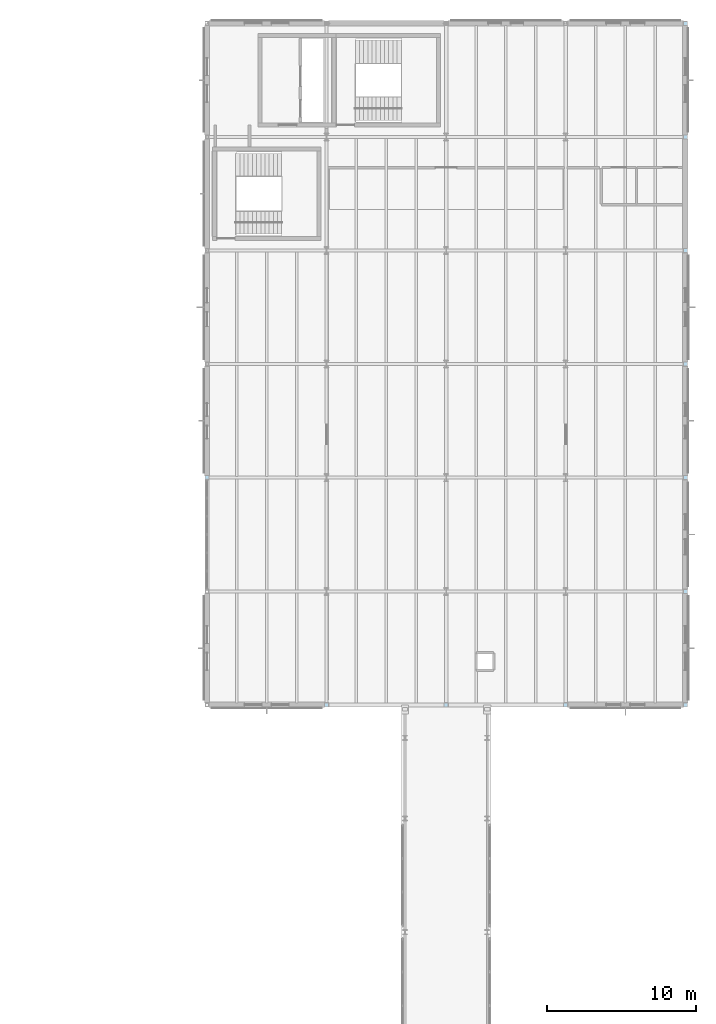
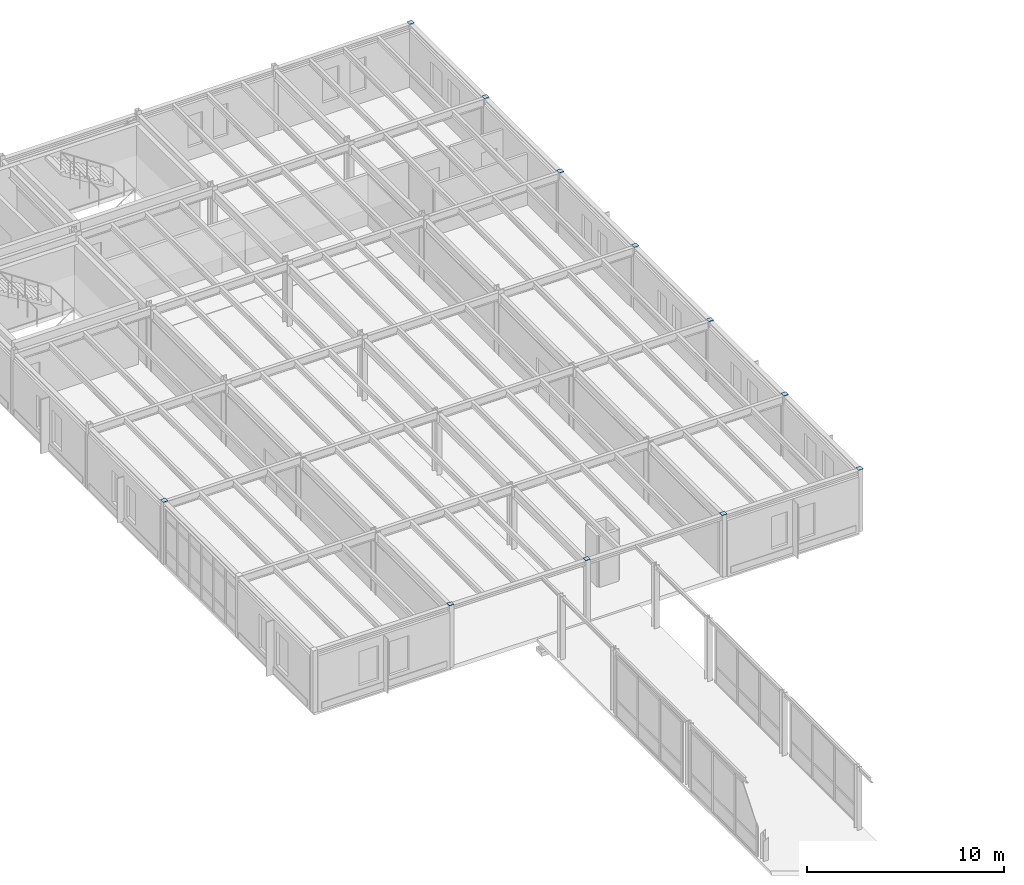
# One storey, part 156 of 189: 11 plates.
"""IFC4 building model written with IfcOpenShell, lengths in metres."""

from ifc_helpers import new_model, si_unit, direction, frame, origin, origin_2d, place, context, subcontext, project, spatial, rectangle, extrude, material, layer, layer_set, type_object, element, save


model = new_model("IFC4")

# Units and contexts
model_context = context("Model", 3, precision=1e-05, world=origin(), true_north=direction((0.0, 1.0)))
body_context = subcontext(model_context, "Body", "Model", "MODEL_VIEW")
ifc_project = project(units=[si_unit("LENGTHUNIT", "METRE"), si_unit("AREAUNIT", "SQUARE_METRE"), si_unit("VOLUMEUNIT", "CUBIC_METRE"), si_unit("PLANEANGLEUNIT", "RADIAN"), si_unit("MASSUNIT", "GRAM", prefix="KILO")], contexts=[model_context])

# Site, building, storey
site_placement = place(None, origin())
site = spatial("IfcSite", under=ifc_project, at=site_placement, CompositionType="ELEMENT")
building_placement = place(site_placement, origin())
building = spatial("IfcBuilding", under=site, at=building_placement, Name="Montecoro Central Library", CompositionType="ELEMENT")
storey_placement = place(building_placement, frame((0.0, 0.0, 9.179931640625)))
storey = spatial("IfcBuildingStorey", under=building, at=storey_placement, Name="L02", CompositionType="ELEMENT", Elevation=9.179931640625)

# Plates
ifc_material = material(Name="Steel S355", Category="steel")
ifc_layer = layer(ifc_material, 0.01611328125)
ifc_layer_set = layer_set([ifc_layer], Name="Steel S355")
plate_type = type_object("IfcPlateType", Name="PLT-CAP-16", PredefinedType="SHEET", material=ifc_layer_set)
for number, where, z_axis, x_axis, name in (
    (1, (141.0, 88.60009765625, 3.85009765625), (0.0, 0.0, 1.0), (1.0, 0.0, 0.0), "V5-L02-CAPPL-18-M"),
    (2, (149.0, 73.39990234375, 3.85009765625), (0.0, 0.0, 1.0), (1.0, 0.0, 0.0), "V5-L02-CAPPL-19-K"),
    (3, (157.0, 73.39990234375, 3.85009765625), (0.0, 0.0, 1.0), (1.0, 0.0, 0.0), "V5-L02-CAPPL-20-K"),
    (4, (165.0, 73.39990234375, 3.85009765625), (0.0, 0.0, 1.0), (1.0, 0.0, 0.0), "V5-L02-CAPPL-21-K"),
    (5, (173.0, 73.39990234375, 3.85009765625), (0.0, 0.0, 1.0), (1.0, 0.0, 0.0), "V5-L02-CAPPL-22-K"),
    (6, (173.0, 81.0, 3.85009765625), (0.0, 0.0, 1.0), (1.0, 0.0, 0.0), "V5-L02-CAPPL-22-L"),
    (7, (173.0, 88.60009765625, 3.85009765625), (0.0, 0.0, 1.0), (1.0, 0.0, 0.0), "V5-L02-CAPPL-22-M"),
    (8, (173.0, 96.199951171875, 3.85009765625), (0.0, 0.0, 1.0), (1.0, 0.0, 0.0), "V5-L02-CAPPL-22-N"),
    (9, (173.0, 103.800048828125, 3.85009765625), (0.0, 0.0, 1.0), (1.0, 0.0, 0.0), "V5-L02-CAPPL-22-P"),
    (10, (173.0, 111.39990234375, 3.85009765625), (0.0, 0.0, 1.0), (1.0, 0.0, 0.0), "V5-L02-CAPPL-22-Q"),
    (11, (173.0, 119.0, 3.85009765625), (0.0, 0.0, 1.0), (1.0, 0.0, 0.0), "V5-L02-CAPPL-22-R"),
):
    element("IfcPlate", number, at=place(storey_placement, frame(where, z_axis=z_axis, x_axis=x_axis)), inside=storey, type_object=plate_type, Name=name, PredefinedType="SHEET", context=body_context, shape_type="SweptSolid", body=[
        extrude(rectangle(XDim=0.280029296875, YDim=0.280029296875, at=origin_2d()), origin(), (0.0, 0.0, 1.0), 0.01611328125),
    ])

save(model, "model.ifc")
